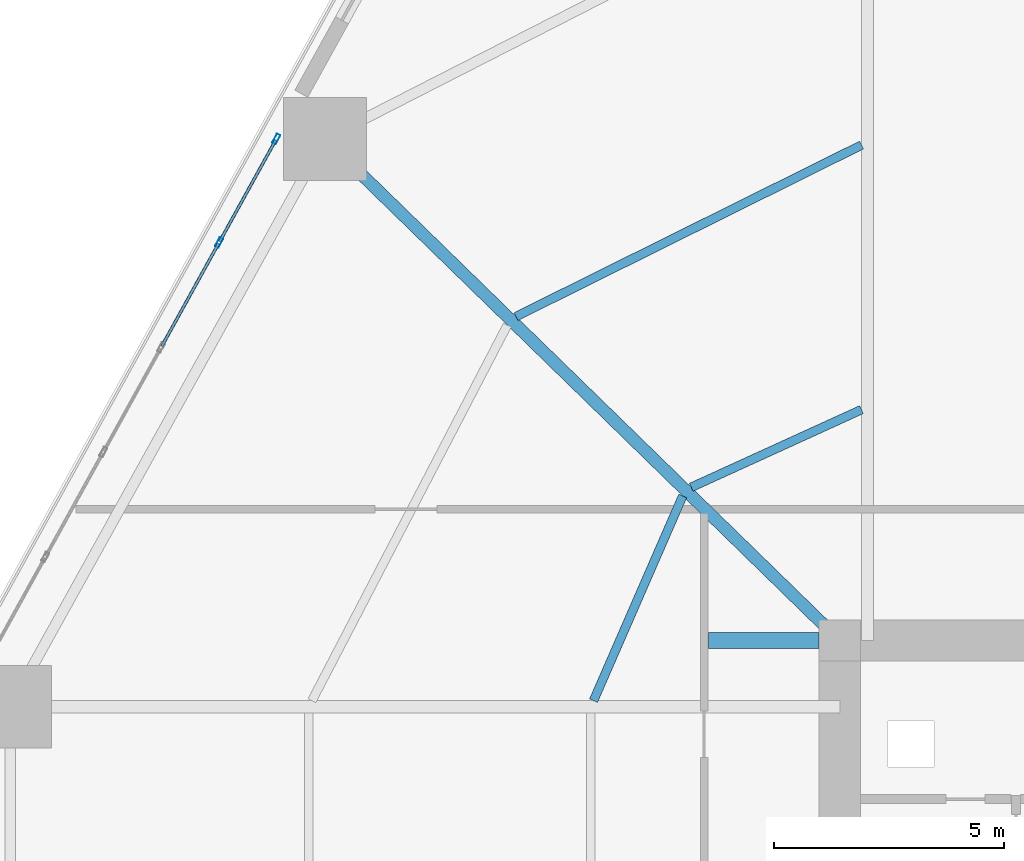
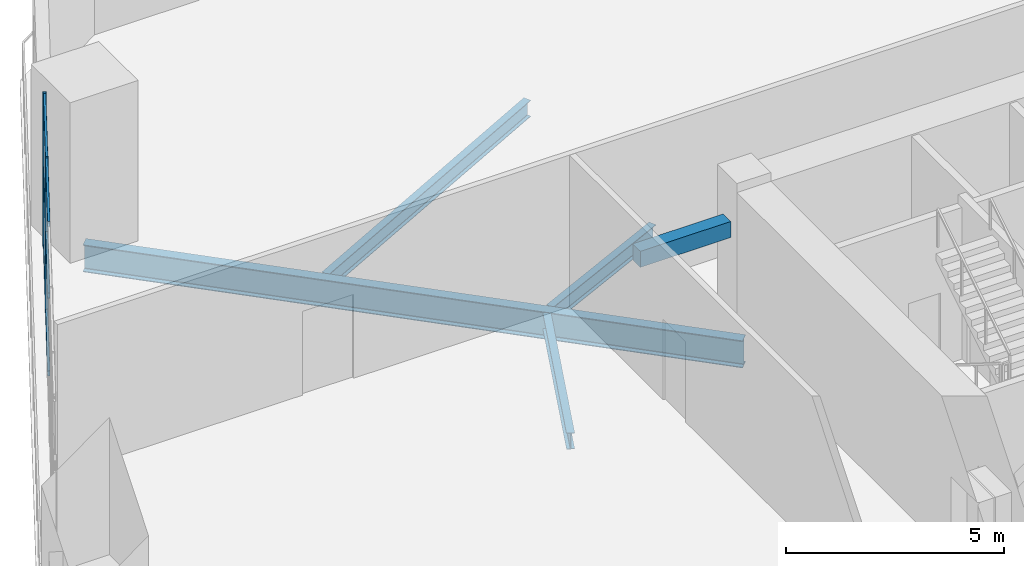
# One storey, part 7 of 18: 8 members, 5 beams, 1 element without a shape of its own.
"""IFC4 building model written with IfcOpenShell, lengths in metres."""

import ifcopenshell
import ifcopenshell.guid

model = None  # the IFC model being written
_history = None  # IfcOwnerHistory: only IFC2X3 demands one
_inside = {}  # id of a spatial element -> (the spatial element, [elements in it])
_under = {}  # id of a project, library or spatial element -> (it, [spatial elements below it])
_declared = {}  # id of a project -> (the project, [libraries it declares])
_typed = {}  # id of a type object -> (the type object, [elements of that type])
_made_of = {}  # id of a material, layer set ... -> (it, [elements and type objects made of it])


def new_model(schema):
    """Start an empty IFC model of exactly this schema.

    Asked for "IFC4X3", IfcOpenShell would pick the latest addendum, in which some entities
    have other attributes; the version numbers below select the first issue.
    IFC2X3 requires an IfcOwnerHistory on every rooted entity: one is made here for all.
    """
    global model, _history
    if schema == "IFC4X3":
        model = ifcopenshell.file(schema_version=(4, 3, 0, 0))
    else:
        model = ifcopenshell.file(schema=schema)
    _inside.clear()
    _under.clear()
    _declared.clear()
    _typed.clear()
    _made_of.clear()
    _history = None
    if model.schema == "IFC2X3":
        org = make("IfcOrganization", Name="unknown")
        user = make(
            "IfcPersonAndOrganization",
            ThePerson=make("IfcPerson", FamilyName="unknown"),
            TheOrganization=org,
        )
        app = make(
            "IfcApplication",
            ApplicationDeveloper=org,
            Version="unknown",
            ApplicationFullName="unknown",
            ApplicationIdentifier="unknown",
        )
        _history = make(
            "IfcOwnerHistory",
            OwningUser=user,
            OwningApplication=app,
            ChangeAction="ADDED",
            CreationDate=0,
        )
    return model


def make(cls, **values):
    """One entity of the class cls with the attributes given. An attribute that is None is left unset."""
    return model.create_entity(
        cls, **{name: value for name, value in values.items() if value is not None}
    )


def rooted(cls, **values):
    """An entity with a GlobalId (a new one), such as an element, a storey or a relation."""
    return make(cls, GlobalId=ifcopenshell.guid.new(), OwnerHistory=_history, **values)


def si_unit(unit_type, name, prefix=None):
    """IfcSIUnit, for example si_unit("LENGTHUNIT", "METRE", prefix="MILLI")."""
    return make("IfcSIUnit", UnitType=unit_type, Prefix=prefix, Name=name)


def assignment(units):
    """IfcUnitAssignment: the units of a project."""
    return None if units is None else make("IfcUnitAssignment", Units=units)


def point(xyz):
    """IfcCartesianPoint."""
    return None if xyz is None else make("IfcCartesianPoint", Coordinates=xyz)


def direction(xyz):
    """IfcDirection."""
    return None if xyz is None else make("IfcDirection", DirectionRatios=xyz)


def frame(location, z_axis=None, x_axis=None):
    """IfcAxis2Placement3D, a coordinate frame: its origin and axes. An axis left out is left unset."""
    return make(
        "IfcAxis2Placement3D",
        Location=point(location),
        Axis=direction(z_axis),
        RefDirection=direction(x_axis),
    )


def frame_2d(location, x_axis=None):
    """IfcAxis2Placement2D, a coordinate frame in the plane: its origin and x axis."""
    return make(
        "IfcAxis2Placement2D", Location=point(location), RefDirection=direction(x_axis)
    )


def origin():
    """The frame at (0, 0, 0) with its axes left unset."""
    return frame((0.0, 0.0, 0.0))


def origin_2d():
    """The frame at (0, 0) in the plane with its x axis left unset."""
    return frame_2d((0.0, 0.0))


def place(relative_to, where):
    """IfcLocalPlacement: puts the frame where relative to a parent placement (None: the world)."""
    return make(
        "IfcLocalPlacement", PlacementRelTo=relative_to, RelativePlacement=where
    )


def context(
    kind, dimensions, precision=None, world=None, true_north=None, identifier=None
):
    """IfcGeometricRepresentationContext, for example the 3D "Model" context."""
    return make(
        "IfcGeometricRepresentationContext",
        ContextIdentifier=identifier,
        ContextType=kind,
        CoordinateSpaceDimension=dimensions,
        Precision=precision,
        WorldCoordinateSystem=world,
        TrueNorth=true_north,
    )


def subcontext(parent, identifier, kind, view, scale=None):
    """IfcGeometricRepresentationSubContext, for example "Body" below "Model"."""
    return make(
        "IfcGeometricRepresentationSubContext",
        ContextIdentifier=identifier,
        ContextType=kind,
        ParentContext=parent,
        TargetScale=scale,
        TargetView=view,
    )


def project(units=None, contexts=None):
    """IfcProject with its units and contexts."""
    return rooted(
        "IfcProject",
        Name="project",
        RepresentationContexts=contexts,
        UnitsInContext=assignment(units),
    )


def spatial(cls, under=None, at=None, **own):
    """A site, building, storey or space (cls), placed at a placement, below another one or the project."""
    s = rooted(cls, ObjectPlacement=at, **own)
    if under is not None:
        _under.setdefault(under.id(), (under, []))[1].append(s)
    return s


def profile(cls, at=None, kind="AREA", **sizes):
    """A parametric profile (cls). Its sizes go by their IFC names, for example OverallWidth=200.0."""
    return make(cls, ProfileType=kind, Position=at, **sizes)


def rectangle(**sizes):
    """IfcRectangleProfileDef."""
    return profile("IfcRectangleProfileDef", **sizes)


def hollow_rectangle(**sizes):
    """IfcRectangleHollowProfileDef."""
    return profile("IfcRectangleHollowProfileDef", **sizes)


def i_section(**sizes):
    """IfcIShapeProfileDef."""
    return profile("IfcIShapeProfileDef", **sizes)


def extrude(swept, where, along, depth):
    """IfcExtrudedAreaSolid: the profile swept, set in the frame where, extruded along a direction by depth."""
    return make(
        "IfcExtrudedAreaSolid",
        SweptArea=swept,
        Position=where,
        ExtrudedDirection=direction(along),
        Depth=depth,
    )


def shape(context_of_items, identifier, shape_type, items):
    """IfcShapeRepresentation: the items that make up one representation, for example the "Body"."""
    return make(
        "IfcShapeRepresentation",
        ContextOfItems=context_of_items,
        RepresentationIdentifier=identifier,
        RepresentationType=shape_type,
        Items=items,
    )


def material(Name=None, Category=None):
    """IfcMaterial."""
    return make("IfcMaterial", Name=Name, Category=Category)


def layer(
    of_material, thickness, ventilated=None, Name=None, Category=None, Priority=None
):
    """IfcMaterialLayer: one layer of a wall or slab, of a material (None: an air gap)."""
    return make(
        "IfcMaterialLayer",
        Material=of_material,
        LayerThickness=thickness,
        IsVentilated=ventilated,
        Name=Name,
        Category=Category,
        Priority=Priority,
    )


def layer_set(layers, Name=None):
    """IfcMaterialLayerSet."""
    return make("IfcMaterialLayerSet", MaterialLayers=layers, LayerSetName=Name)


def material_profile(
    of_material, cross_section, Name=None, Category=None, Priority=None
):
    """IfcMaterialProfile: a cross section and its material."""
    return make(
        "IfcMaterialProfile",
        Name=Name,
        Material=of_material,
        Profile=cross_section,
        Priority=Priority,
        Category=Category,
    )


def profile_set(profiles, Name=None, composite=None):
    """IfcMaterialProfileSet."""
    return make(
        "IfcMaterialProfileSet",
        Name=Name,
        MaterialProfiles=profiles,
        CompositeProfile=composite,
    )


def made_of(thing, what):
    """Note that an element or type object is made of a material, layer set ...; save() writes the relation."""
    if what is not None:
        _made_of.setdefault(what.id(), (what, []))[1].append(thing)
    return thing


def type_object(cls, material=None, **own):
    """A type object (cls), such as IfcWallType, which elements share."""
    return made_of(rooted(cls, **own), material)


def element(
    cls,
    number,
    at=None,
    inside=None,
    cuts=None,
    type_object=None,
    material=None,
    context=None,
    identifier="Body",
    shape_type=None,
    held_by="IfcProductDefinitionShape",
    body=None,
    shapes=None,
    **own,
):
    """One element of the class cls, such as IfcWall. Its Tag is "e" and its number.

    at: its placement. inside: the storey or other place that contains it. cuts: it is an
    opening in that element (IfcRelVoidsElement). A single representation is given by context,
    identifier, shape_type and body (its items); several are given by shapes. held_by: the class
    of the entity that holds the representations. save() writes the other relations.
    """
    e = rooted(cls, Tag="e%d" % number, ObjectPlacement=at, **own)
    if body is not None:
        shapes = [shape(context, identifier, shape_type, body)]
    if shapes is not None:
        e.Representation = make(held_by, Representations=shapes)
    if inside is not None:
        _inside.setdefault(inside.id(), (inside, []))[1].append(e)
    if cuts is not None:
        rooted(
            "IfcRelVoidsElement", RelatingBuildingElement=cuts, RelatedOpeningElement=e
        )
    if type_object is not None:
        _typed.setdefault(type_object.id(), (type_object, []))[1].append(e)
    return made_of(e, material)


def aggregate(whole, parts):
    """IfcRelAggregates: a whole, such as a stair, and the parts it consists of."""
    return rooted("IfcRelAggregates", RelatingObject=whole, RelatedObjects=parts)


def save(model, path):
    """Write the relations noted so far, then the file.

    IfcRelAggregates (storeys below a building ...), IfcRelContainedInSpatialStructure (elements
    in a storey), IfcRelDefinesByType, IfcRelAssociatesMaterial and IfcRelDeclares: one each for
    every whole, place, type object, material and project.
    """
    for whole, parts in _under.values():
        aggregate(whole, parts)
    for where, things in _inside.values():
        rooted(
            "IfcRelContainedInSpatialStructure",
            RelatedElements=things,
            RelatingStructure=where,
        )
    for kind, things in _typed.values():
        rooted("IfcRelDefinesByType", RelatedObjects=things, RelatingType=kind)
    for what, things in _made_of.values():
        rooted("IfcRelAssociatesMaterial", RelatedObjects=things, RelatingMaterial=what)
    for by, libraries in _declared.values():
        rooted("IfcRelDeclares", RelatingContext=by, RelatedDefinitions=libraries)
    model.write(path)


model = new_model("IFC4")

# Units and contexts
model_context = context("Model", 3, precision=1e-05, world=origin(), true_north=direction((0.0, 1.0)))
body_context = subcontext(model_context, "Body", "Model", "MODEL_VIEW")
ifc_project = project(units=[si_unit("LENGTHUNIT", "METRE"), si_unit("AREAUNIT", "SQUARE_METRE"), si_unit("VOLUMEUNIT", "CUBIC_METRE"), si_unit("PLANEANGLEUNIT", "RADIAN"), si_unit("MASSUNIT", "GRAM", prefix="KILO")], contexts=[model_context])

# Site, building, storey
site_placement = place(None, origin())
site = spatial("IfcSite", under=ifc_project, at=site_placement, CompositionType="ELEMENT")
building_placement = place(site_placement, origin())
building = spatial("IfcBuilding", under=site, at=building_placement, Name="Cinnabar Lancet Tower", CompositionType="ELEMENT")
storey_placement = place(building_placement, frame((0.0, 0.0, 10.5)))
storey = spatial("IfcBuildingStorey", under=building, at=storey_placement, Name="L02", CompositionType="ELEMENT", Elevation=10.5)

# Curtain wall, members
ifc_material_1 = material(Name="Thermally broken bronze-anodized aluminium and low-E glass", Category="aluminium")
ifc_layer = layer(ifc_material_1, 0.179931640625)
ifc_layer_set = layer_set([ifc_layer], Name="Thermally broken bronze-anodized aluminium and low-E glass")
curtain_wall_type = type_object("IfcCurtainWallType", Name="ENV-CW-SYS-02", PredefinedType="NOTDEFINED", material=ifc_layer_set)
curtain_wall_placement = place(storey_placement, origin())
curtain_wall = element("IfcCurtainWall", 1, at=curtain_wall_placement, inside=storey, type_object=curtain_wall_type, Name="L02 Face 5 Feature Curtain Wall", PredefinedType="NOTDEFINED")
ifc_material_2 = material(Name="Anodized architectural aluminium 6063-T6", Category="aluminium")
ifc_material_profile_1 = material_profile(ifc_material_2, hollow_rectangle(XDim=0.0849609375, YDim=0.219970703125, WallThickness=0.0048828125, InnerFilletRadius=0.00244140625, OuterFilletRadius=0.007568359375, at=origin_2d()), Name="CW-MUL 220x85x5")
ifc_profile_set_1 = profile_set([ifc_material_profile_1], Name="Anodized architectural aluminium 6063-T6")
member_type_1 = type_object("IfcMemberType", Name="ENV-CW-MUL-220", PredefinedType="MULLION", material=ifc_profile_set_1)
member_1_placement = place(storey_placement, frame((10.699462890625, 44.253662109375, 0.0), z_axis=(0.0, 0.0, 1.0), x_axis=(0.875242391442, -0.48368456273, 0.0)))
member_1 = element("IfcMember", 2, at=member_1_placement, type_object=member_type_1, Name="CW-02 mullion 1", PredefinedType="MULLION", context=body_context, shape_type="SweptSolid", body=[
    extrude(hollow_rectangle(XDim=0.0849609375, YDim=0.219970703125, WallThickness=0.0048828125, InnerFilletRadius=0.00244140625, OuterFilletRadius=0.007568359375, at=origin_2d()), origin(), (0.0, 0.0, 1.0), 4.25),
])
member_2_placement = place(storey_placement, frame((9.455078125, 42.001708984375, 0.0), z_axis=(0.0, 0.0, 1.0), x_axis=(0.875242391442, -0.48368456273, 0.0)))
member_2 = element("IfcMember", 3, at=member_2_placement, type_object=member_type_1, Name="CW-02 mullion 2", PredefinedType="MULLION", context=body_context, shape_type="SweptSolid", body=[
    extrude(hollow_rectangle(XDim=0.0849609375, YDim=0.219970703125, WallThickness=0.0048828125, InnerFilletRadius=0.00244140625, OuterFilletRadius=0.007568359375, at=origin_2d()), origin(), (0.0, 0.0, 1.0), 4.25),
])
ifc_material_3 = material(Name="Anodized architectural aluminium 6063-T6", Category="aluminium")
ifc_material_profile_2 = material_profile(ifc_material_3, hollow_rectangle(XDim=0.06494140625, YDim=0.14990234375, WallThickness=0.00390625, InnerFilletRadius=0.001953125, OuterFilletRadius=0.006103515625, at=origin_2d()), Name="CW-TRN 150x65x4")
ifc_profile_set_2 = profile_set([ifc_material_profile_2], Name="Anodized architectural aluminium 6063-T6")
member_type_2 = type_object("IfcMemberType", Name="ENV-CW-TRN-160", PredefinedType="USERDEFINED", material=ifc_profile_set_2)
member_3_placement = place(storey_placement, frame((10.68505859375, 44.2275390625, 0.030029296875), z_axis=(-0.483711571576, -0.875227465019, 0.0), x_axis=(0.875227465019, -0.483711571576, 0.0)))
member_3 = element("IfcMember", 4, at=member_3_placement, type_object=member_type_2, Name="CW-02 transom 1.1", ObjectType="TRANSOM", PredefinedType="USERDEFINED", context=body_context, shape_type="SweptSolid", body=[
    extrude(hollow_rectangle(XDim=0.06494140625, YDim=0.14990234375, WallThickness=0.00390625, InnerFilletRadius=0.001953125, OuterFilletRadius=0.006103515625, at=origin_2d()), origin(), (0.0, 0.0, 1.0), 2.512939453125),
])
member_4_placement = place(storey_placement, frame((10.68505859375, 44.2275390625, 2.2099609375), z_axis=(-0.483711571576, -0.875227465019, 0.0), x_axis=(0.875227465019, -0.483711571576, 0.0)))
member_4 = element("IfcMember", 5, at=member_4_placement, type_object=member_type_2, Name="CW-02 transom 1.2", ObjectType="TRANSOM", PredefinedType="USERDEFINED", context=body_context, shape_type="SweptSolid", body=[
    extrude(hollow_rectangle(XDim=0.06494140625, YDim=0.14990234375, WallThickness=0.00390625, InnerFilletRadius=0.001953125, OuterFilletRadius=0.006103515625, at=origin_2d()), origin(), (0.0, 0.0, 1.0), 2.512939453125),
])
member_5_placement = place(storey_placement, frame((10.68505859375, 44.2275390625, 4.219970703125), z_axis=(-0.483711571576, -0.875227465019, 0.0), x_axis=(0.875227465019, -0.483711571576, 0.0)))
member_5 = element("IfcMember", 6, at=member_5_placement, type_object=member_type_2, Name="CW-02 transom 1.3", ObjectType="TRANSOM", PredefinedType="USERDEFINED", context=body_context, shape_type="SweptSolid", body=[
    extrude(hollow_rectangle(XDim=0.06494140625, YDim=0.14990234375, WallThickness=0.00390625, InnerFilletRadius=0.001953125, OuterFilletRadius=0.006103515625, at=origin_2d()), origin(), (0.0, 0.0, 1.0), 2.512939453125),
])
member_6_placement = place(storey_placement, frame((9.4404296875, 41.9755859375, 0.030029296875), z_axis=(-0.483660952196, -0.875255438898, 0.0), x_axis=(0.875255438898, -0.483660952196, 0.0)))
member_6 = element("IfcMember", 7, at=member_6_placement, type_object=member_type_2, Name="CW-02 transom 2.1", ObjectType="TRANSOM", PredefinedType="USERDEFINED", context=body_context, shape_type="SweptSolid", body=[
    extrude(hollow_rectangle(XDim=0.06494140625, YDim=0.14990234375, WallThickness=0.00390625, InnerFilletRadius=0.001953125, OuterFilletRadius=0.006103515625, at=origin_2d()), origin(), (0.0, 0.0, 1.0), 2.54296875),
])
member_7_placement = place(storey_placement, frame((9.4404296875, 41.9755859375, 2.2099609375), z_axis=(-0.483660952196, -0.875255438898, 0.0), x_axis=(0.875255438898, -0.483660952196, 0.0)))
member_7 = element("IfcMember", 8, at=member_7_placement, type_object=member_type_2, Name="CW-02 transom 2.2", ObjectType="TRANSOM", PredefinedType="USERDEFINED", context=body_context, shape_type="SweptSolid", body=[
    extrude(hollow_rectangle(XDim=0.06494140625, YDim=0.14990234375, WallThickness=0.00390625, InnerFilletRadius=0.001953125, OuterFilletRadius=0.006103515625, at=origin_2d()), origin(), (0.0, 0.0, 1.0), 2.54296875),
])
member_8_placement = place(storey_placement, frame((9.4404296875, 41.9755859375, 4.219970703125), z_axis=(-0.483660952196, -0.875255438898, 0.0), x_axis=(0.875255438898, -0.483660952196, 0.0)))
member_8 = element("IfcMember", 9, at=member_8_placement, type_object=member_type_2, Name="CW-02 transom 2.3", ObjectType="TRANSOM", PredefinedType="USERDEFINED", context=body_context, shape_type="SweptSolid", body=[
    extrude(hollow_rectangle(XDim=0.06494140625, YDim=0.14990234375, WallThickness=0.00390625, InnerFilletRadius=0.001953125, OuterFilletRadius=0.006103515625, at=origin_2d()), origin(), (0.0, 0.0, 1.0), 2.54296875),
])
aggregate(curtain_wall, [member_1, member_2, member_3, member_4, member_5, member_6, member_7, member_8])

# Beams
ifc_material_4 = material(Name="Structural steel S355", Category="steel")
ifc_material_profile_3 = material_profile(ifc_material_4, i_section(OverallWidth=0.1904296875, OverallDepth=0.45703125, WebThickness=0.009033203125, FlangeThickness=0.014404296875, FilletRadius=0.01025390625, at=origin_2d()), Name="UKB 457x191x74")
ifc_profile_set_3 = profile_set([ifc_material_profile_3], Name="Structural steel S355")
beam_type_1 = type_object("IfcBeamType", Name="STR-BM-JST-457", PredefinedType="JOIST", material=ifc_profile_set_3)
beam_1_placement = place(storey_placement, frame((23.422119140625, 44.12109375, -0.47900390625), z_axis=(-0.895687488764, -0.444684070404, 0.0), x_axis=(0.444684070404, -0.895687488764, 0.0)))
element("IfcBeam", 10, at=beam_1_placement, inside=storey, type_object=beam_type_1, Name="L02 Secondary Floor Joist 7", PredefinedType="JOIST", context=body_context, shape_type="SweptSolid", body=[
    extrude(i_section(OverallWidth=0.1904296875, OverallDepth=0.45703125, WebThickness=0.009033203125, FlangeThickness=0.014404296875, FilletRadius=0.01025390625, at=origin_2d()), origin(), (0.0, 0.0, 1.0), 8.383544921875),
])
beam_2_placement = place(storey_placement, frame((23.422119140625, 38.368896484375, -0.47900390625), z_axis=(-0.909802346443, -0.415041793567, 0.0), x_axis=(0.415041793567, -0.909802346443, 0.0)))
element("IfcBeam", 11, at=beam_2_placement, inside=storey, type_object=beam_type_1, Name="L02 Secondary Floor Joist 8", PredefinedType="JOIST", context=body_context, shape_type="SweptSolid", body=[
    extrude(i_section(OverallWidth=0.1904296875, OverallDepth=0.45703125, WebThickness=0.009033203125, FlangeThickness=0.014404296875, FilletRadius=0.01025390625, at=origin_2d()), origin(), (0.0, 0.0, 1.0), 4.067138671875),
])
beam_3_placement = place(storey_placement, frame((19.534912109375, 36.490966796875, -0.47900390625), z_axis=(-0.39945428445, -0.916753115421, 0.0), x_axis=(0.916753115421, -0.39945428445, 0.0)))
element("IfcBeam", 12, at=beam_3_placement, inside=storey, type_object=beam_type_1, Name="L02 Secondary Floor Joist 10", PredefinedType="JOIST", context=body_context, shape_type="SweptSolid", body=[
    extrude(i_section(OverallWidth=0.1904296875, OverallDepth=0.45703125, WebThickness=0.009033203125, FlangeThickness=0.014404296875, FilletRadius=0.01025390625, at=origin_2d()), origin(), (0.0, 0.0, 1.0), 4.85400390625),
])
ifc_material_5 = material(Name="Concrete C45/55", Category="concrete")
ifc_material_profile_4 = material_profile(ifc_material_5, rectangle(XDim=0.35009765625, YDim=0.449951171875, at=origin_2d()), Name="RC-LNT 350x450")
ifc_profile_set_4 = profile_set([ifc_material_profile_4], Name="Concrete C45/55")
beam_type_2 = type_object("IfcBeamType", Name="STR-BM-LNT-450", PredefinedType="LINTEL", material=ifc_profile_set_4)
beam_4_placement = place(storey_placement, frame((20.10009765625, 33.35009765625, 3.050048828125), z_axis=(1.0, 0.0, 0.0), x_axis=(0.0, 1.0, 0.0)))
element("IfcBeam", 13, at=beam_4_placement, inside=storey, type_object=beam_type_2, Name="L02 Podium Gallery Arch Lintel NW", PredefinedType="LINTEL", context=body_context, shape_type="SweptSolid", body=[
    extrude(rectangle(XDim=0.35009765625, YDim=0.449951171875, at=origin_2d()), origin(), (0.0, 0.0, 1.0), 2.39990234375),
])
ifc_material_6 = material(Name="Structural steel S355", Category="steel")
ifc_material_profile_5 = material_profile(ifc_material_6, i_section(OverallWidth=0.2666015625, OverallDepth=0.76220703125, WebThickness=0.014404296875, FlangeThickness=0.021484375, FilletRadius=0.0166015625, at=origin_2d()), Name="UKB 762x267x173")
ifc_profile_set_5 = profile_set([ifc_material_profile_5], Name="Structural steel S355")
beam_type_3 = type_object("IfcBeamType", Name="STR-BM-UKB762-173", PredefinedType="BEAM", material=ifc_profile_set_5)
beam_5_placement = place(storey_placement, frame((11.757080078125, 44.256103515625, -0.631103515625), z_axis=(0.716225383515, -0.697869042163, 0.0), x_axis=(0.697869042163, 0.716225383515, 0.0)))
element("IfcBeam", 14, at=beam_5_placement, inside=storey, type_object=beam_type_3, Name="L02 Corner Collector Girder 4", PredefinedType="BEAM", context=body_context, shape_type="SweptSolid", body=[
    extrude(i_section(OverallWidth=0.2666015625, OverallDepth=0.76220703125, WebThickness=0.014404296875, FlangeThickness=0.021484375, FilletRadius=0.0166015625, at=origin_2d()), origin(), (0.0, 0.0, 1.0), 15.627685546875),
])

save(model, "model.ifc")
